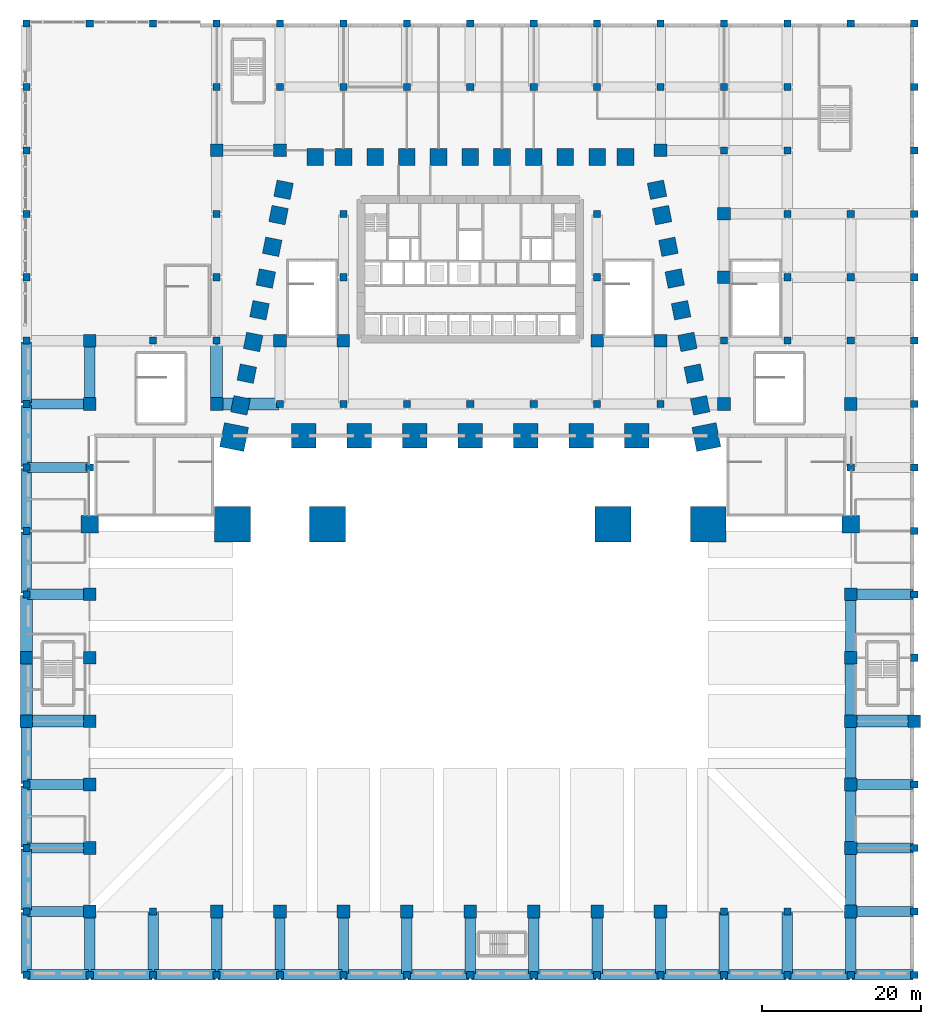
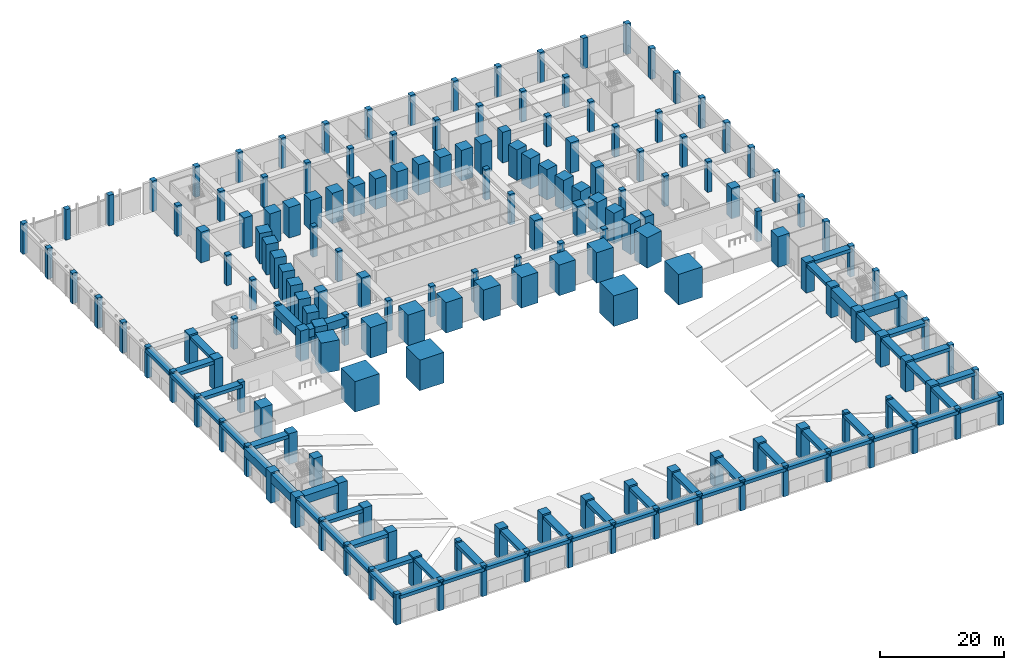
# One storey, part 1 of 28: 173 columns, 57 beams.
"""IFC4 building model written with IfcOpenShell, lengths in metres."""

from ifc_helpers import new_model, si_unit, direction, frame, origin, origin_2d, place, context, subcontext, project, spatial, rectangle, extrude, material, material_profile, profile_set, type_object, element, save


model = new_model("IFC4")

# Units and contexts
model_context = context("Model", 3, precision=1e-05, world=origin(), true_north=direction((0.0, 1.0)))
body_context = subcontext(model_context, "Body", "Model", "MODEL_VIEW")
ifc_project = project(units=[si_unit("LENGTHUNIT", "METRE"), si_unit("AREAUNIT", "SQUARE_METRE"), si_unit("VOLUMEUNIT", "CUBIC_METRE"), si_unit("PLANEANGLEUNIT", "RADIAN"), si_unit("MASSUNIT", "GRAM", prefix="KILO")], contexts=[model_context])

# Site, building, storey
site_placement = place(None, origin())
site = spatial("IfcSite", under=ifc_project, at=site_placement, CompositionType="ELEMENT")
building_placement = place(site_placement, origin())
building = spatial("IfcBuilding", under=site, at=building_placement, Name="Isbrekke Arena Tower", CompositionType="ELEMENT")
storey_placement = place(building_placement, origin())
storey = spatial("IfcBuildingStorey", under=building, at=storey_placement, Name="L00", CompositionType="ELEMENT", Elevation=0.0)

# Columns
ifc_material_1 = material(Name="Concrete B90 (C90/105)", Category="concrete")
ifc_material_profile_1 = material_profile(ifc_material_1, rectangle(XDim=2.10009765625, YDim=2.10009765625, at=origin_2d()), Name="RC 2100x2100")
ifc_profile_set_1 = profile_set([ifc_material_profile_1], Name="Concrete B90 (C90/105)")
column_type_1 = type_object("IfcColumnType", Name="C1 RC 2100 x 2100", PredefinedType="COLUMN", material=ifc_profile_set_1)
for number, where, z_axis, x_axis, name in (
    (1, (28.990966796875, -2.161865234375, 0.0), (0.0, 0.0, 1.0), (-0.196116135138, 0.980580675691, 0.0), "C1 E04"),
    (2, (28.19091796875, 1.838134765625, 0.0), (0.0, 0.0, 1.0), (-0.196116135138, 0.980580675691, 0.0), "C1 E05"),
    (3, (27.39111328125, 5.838134765625, 0.0), (0.0, 0.0, 1.0), (-0.196116135138, 0.980580675691, 0.0), "C1 E06"),
    (4, (26.591064453125, 9.838134765625, 0.0), (0.0, 0.0, 1.0), (-0.196116135138, 0.980580675691, 0.0), "C1 E07"),
    (5, (25.791015625, 13.838134765625, 0.0), (0.0, 0.0, 1.0), (-0.196116135138, 0.980580675691, 0.0), "C1 E08"),
    (6, (24.990966796875, 17.838134765625, 0.0), (0.0, 0.0, 1.0), (-0.196116135138, 0.980580675691, 0.0), "C1 E09"),
    (7, (24.19091796875, 21.838134765625, 0.0), (0.0, 0.0, 1.0), (-0.196116135138, 0.980580675691, 0.0), "C1 E10"),
    (8, (23.552734375, 25.029296875, 0.0), (0.0, 0.0, 1.0), (-0.196116135138, 0.980580675691, 0.0), "C1 E11"),
    (9, (19.574951171875, 29.175048828125, 0.0), (0.0, 0.0, 1.0), (-1.0, 0.0, 0.0), "C1 N01"),
    (10, (16.0, 29.175048828125, 0.0), (0.0, 0.0, 1.0), (-1.0, 0.0, 0.0), "C1 N02"),
    (11, (12.0, 29.175048828125, 0.0), (0.0, 0.0, 1.0), (-1.0, 0.0, 0.0), "C1 N03"),
    (12, (8.0, 29.175048828125, 0.0), (0.0, 0.0, 1.0), (-1.0, 0.0, 0.0), "C1 N04"),
    (13, (4.0, 29.175048828125, 0.0), (0.0, 0.0, 1.0), (-1.0, 0.0, 0.0), "C1 N05"),
    (14, (0.0, 29.175048828125, 0.0), (0.0, 0.0, 1.0), (-1.0, 0.0, 0.0), "C1 N06"),
    (15, (-4.0, 29.175048828125, 0.0), (0.0, 0.0, 1.0), (-1.0, 0.0, 0.0), "C1 N07"),
    (16, (-8.0, 29.175048828125, 0.0), (0.0, 0.0, 1.0), (-1.0, 0.0, 0.0), "C1 N08"),
    (17, (-12.0, 29.175048828125, 0.0), (0.0, 0.0, 1.0), (-1.0, 0.0, 0.0), "C1 N09"),
    (18, (-16.0, 29.175048828125, 0.0), (0.0, 0.0, 1.0), (-1.0, 0.0, 0.0), "C1 N10"),
    (19, (-19.574951171875, 29.175048828125, 0.0), (0.0, 0.0, 1.0), (-1.0, 0.0, 0.0), "C1 N11"),
    (20, (-23.552734375, 25.029296875, 0.0), (0.0, 0.0, 1.0), (-0.196116135138, -0.980580675691, 0.0), "C1 W01"),
    (21, (-24.19091796875, 21.838134765625, 0.0), (0.0, 0.0, 1.0), (-0.196116135138, -0.980580675691, 0.0), "C1 W02"),
    (22, (-24.990966796875, 17.838134765625, 0.0), (0.0, 0.0, 1.0), (-0.196116135138, -0.980580675691, 0.0), "C1 W03"),
    (23, (-25.791015625, 13.838134765625, 0.0), (0.0, 0.0, 1.0), (-0.196116135138, -0.980580675691, 0.0), "C1 W04"),
    (24, (-26.591064453125, 9.838134765625, 0.0), (0.0, 0.0, 1.0), (-0.196116135138, -0.980580675691, 0.0), "C1 W05"),
    (25, (-27.39111328125, 5.838134765625, 0.0), (0.0, 0.0, 1.0), (-0.196116135138, -0.980580675691, 0.0), "C1 W06"),
    (26, (-28.19091796875, 1.838134765625, 0.0), (0.0, 0.0, 1.0), (-0.196116135138, -0.980580675691, 0.0), "C1 W07"),
    (27, (-28.990966796875, -2.161865234375, 0.0), (0.0, 0.0, 1.0), (-0.196116135138, -0.980580675691, 0.0), "C1 W08"),
):
    element("IfcColumn", number, at=place(storey_placement, frame(where, z_axis=z_axis, x_axis=x_axis)), inside=storey, type_object=column_type_1, Name=name, PredefinedType="COLUMN", context=body_context, shape_type="SweptSolid", body=[
        extrude(rectangle(XDim=2.10009765625, YDim=2.10009765625, at=origin_2d()), origin(), (0.0, 0.0, 1.0), 6.0),
    ])
ifc_material_2 = material(Name="Concrete B55 (C55/67)", Category="concrete")
ifc_material_profile_2 = material_profile(ifc_material_2, rectangle(XDim=1.60009765625, YDim=1.60009765625, at=origin_2d()), Name="RC 1600x1600")
ifc_profile_set_2 = profile_set([ifc_material_profile_2], Name="Concrete B55 (C55/67)")
column_type_2 = type_object("IfcColumnType", Name="C15 RC 1600 x 1600", PredefinedType="COLUMN", material=ifc_profile_set_2)
for number, where, z_axis, x_axis, name in (
    (28, (-48.0, -66.0, 0.0), (0.0, 0.0, 1.0), (1.0, 0.0, 0.0), "C15 PB2"),
    (29, (-48.0, -58.0, 0.0), (0.0, 0.0, 1.0), (1.0, 0.0, 0.0), "C15 PC2"),
    (30, (-48.0, -50.0, 0.0), (0.0, 0.0, 1.0), (1.0, 0.0, 0.0), "C15 PD2"),
    (31, (-48.0, -42.0, 0.0), (0.0, 0.0, 1.0), (1.0, 0.0, 0.0), "C15 PE2"),
    (32, (-48.0, -34.0, 0.0), (0.0, 0.0, 1.0), (1.0, 0.0, 0.0), "C15 PF2"),
    (33, (-48.0, -26.0, 0.0), (0.0, 0.0, 1.0), (1.0, 0.0, 0.0), "C15 PG2"),
    (34, (48.0, -66.0, 0.0), (0.0, 0.0, 1.0), (1.0, 0.0, 0.0), "C15 PB14"),
    (35, (48.0, -58.0, 0.0), (0.0, 0.0, 1.0), (1.0, 0.0, 0.0), "C15 PC14"),
    (36, (48.0, -50.0, 0.0), (0.0, 0.0, 1.0), (1.0, 0.0, 0.0), "C15 PD14"),
    (37, (48.0, -42.0, 0.0), (0.0, 0.0, 1.0), (1.0, 0.0, 0.0), "C15 PE14"),
    (38, (48.0, -34.0, 0.0), (0.0, 0.0, 1.0), (1.0, 0.0, 0.0), "C15 PF14"),
    (39, (48.0, -26.0, 0.0), (0.0, 0.0, 1.0), (1.0, 0.0, 0.0), "C15 PG14"),
):
    element("IfcColumn", number, at=place(storey_placement, frame(where, z_axis=z_axis, x_axis=x_axis)), inside=storey, type_object=column_type_2, Name=name, PredefinedType="COLUMN", context=body_context, shape_type="SweptSolid", body=[
        extrude(rectangle(XDim=1.60009765625, YDim=1.60009765625, at=origin_2d()), origin(), (0.0, 0.0, 1.0), 6.0),
    ])
ifc_material_3 = material(Name="Concrete B55 (C55/67)", Category="concrete")
ifc_material_profile_3 = material_profile(ifc_material_3, rectangle(XDim=0.89990234375, YDim=0.89990234375, at=origin_2d()), Name="RC 900x900")
ifc_profile_set_3 = profile_set([ifc_material_profile_3], Name="Concrete B55 (C55/67)")
column_type_3 = type_object("IfcColumnType", Name="C16 RC 900 x 900", PredefinedType="COLUMN", material=ifc_profile_set_3)
for number, where, z_axis, x_axis, name in (
    (40, (-56.0, -74.0, 0.0), (0.0, 0.0, 1.0), (1.0, 0.0, 0.0), "C16 PA1"),
    (41, (-56.0, -66.0, 0.0), (0.0, 0.0, 1.0), (1.0, 0.0, 0.0), "C16 PB1"),
    (42, (-56.0, -58.0, 0.0), (0.0, 0.0, 1.0), (1.0, 0.0, 0.0), "C16 PC1"),
    (43, (-56.0, -50.0, 0.0), (0.0, 0.0, 1.0), (1.0, 0.0, 0.0), "C16 PD1"),
    (44, (-56.0, -26.0, 0.0), (0.0, 0.0, 1.0), (1.0, 0.0, 0.0), "C16 PG1"),
    (45, (-56.0, -18.0, 0.0), (0.0, 0.0, 1.0), (1.0, 0.0, 0.0), "C16 PH1"),
    (46, (-56.0, -10.0, 0.0), (0.0, 0.0, 1.0), (1.0, 0.0, 0.0), "C16 PI1"),
    (47, (-56.0, -2.0, 0.0), (0.0, 0.0, 1.0), (1.0, 0.0, 0.0), "C16 PJ1"),
    (48, (-56.0, 6.0, 0.0), (0.0, 0.0, 1.0), (1.0, 0.0, 0.0), "C16 PK1"),
    (49, (-56.0, 14.0, 0.0), (0.0, 0.0, 1.0), (1.0, 0.0, 0.0), "C16 PL1"),
    (50, (-56.0, 22.0, 0.0), (0.0, 0.0, 1.0), (1.0, 0.0, 0.0), "C16 PM1"),
    (51, (-56.0, 30.0, 0.0), (0.0, 0.0, 1.0), (1.0, 0.0, 0.0), "C16 PN1"),
    (52, (-56.0, 38.0, 0.0), (0.0, 0.0, 1.0), (1.0, 0.0, 0.0), "C16 PO1"),
    (53, (-56.0, 46.0, 0.0), (0.0, 0.0, 1.0), (1.0, 0.0, 0.0), "C16 PP1"),
    (54, (-48.0, -74.0, 0.0), (0.0, 0.0, 1.0), (1.0, 0.0, 0.0), "C16 PA2"),
    (55, (-48.0, -10.0, 0.0), (0.0, 0.0, 1.0), (1.0, 0.0, 0.0), "C16 PI2"),
    (56, (-48.0, 46.0, 0.0), (0.0, 0.0, 1.0), (1.0, 0.0, 0.0), "C16 PP2"),
    (57, (-40.0, -74.0, 0.0), (0.0, 0.0, 1.0), (1.0, 0.0, 0.0), "C16 PA3"),
    (58, (-40.0, -66.0, 0.0), (0.0, 0.0, 1.0), (1.0, 0.0, 0.0), "C16 PB3"),
    (59, (-40.0, 6.0, 0.0), (0.0, 0.0, 1.0), (1.0, 0.0, 0.0), "C16 PK3"),
    (60, (-40.0, 46.0, 0.0), (0.0, 0.0, 1.0), (1.0, 0.0, 0.0), "C16 PP3"),
    (61, (-32.0, -74.0, 0.0), (0.0, 0.0, 1.0), (1.0, 0.0, 0.0), "C16 PA4"),
    (62, (-32.0, 6.0, 0.0), (0.0, 0.0, 1.0), (1.0, 0.0, 0.0), "C16 PK4"),
    (63, (-32.0, 14.0, 0.0), (0.0, 0.0, 1.0), (1.0, 0.0, 0.0), "C16 PL4"),
    (64, (-32.0, 22.0, 0.0), (0.0, 0.0, 1.0), (1.0, 0.0, 0.0), "C16 PM4"),
    (65, (-32.0, 38.0, 0.0), (0.0, 0.0, 1.0), (1.0, 0.0, 0.0), "C16 PO4"),
    (66, (-32.0, 46.0, 0.0), (0.0, 0.0, 1.0), (1.0, 0.0, 0.0), "C16 PP4"),
    (67, (-24.0, -74.0, 0.0), (0.0, 0.0, 1.0), (1.0, 0.0, 0.0), "C16 PA5"),
    (68, (-24.0, -2.0, 0.0), (0.0, 0.0, 1.0), (1.0, 0.0, 0.0), "C16 PJ5"),
    (69, (-24.0, 38.0, 0.0), (0.0, 0.0, 1.0), (1.0, 0.0, 0.0), "C16 PO5"),
    (70, (-24.0, 46.0, 0.0), (0.0, 0.0, 1.0), (1.0, 0.0, 0.0), "C16 PP5"),
    (71, (-16.0, -74.0, 0.0), (0.0, 0.0, 1.0), (1.0, 0.0, 0.0), "C16 PA6"),
    (72, (-16.0, -2.0, 0.0), (0.0, 0.0, 1.0), (1.0, 0.0, 0.0), "C16 PJ6"),
    (73, (-16.0, 14.0, 0.0), (0.0, 0.0, 1.0), (1.0, 0.0, 0.0), "C16 PL6"),
    (74, (-16.0, 22.0, 0.0), (0.0, 0.0, 1.0), (1.0, 0.0, 0.0), "C16 PM6"),
    (75, (-16.0, 38.0, 0.0), (0.0, 0.0, 1.0), (1.0, 0.0, 0.0), "C16 PO6"),
    (76, (-16.0, 46.0, 0.0), (0.0, 0.0, 1.0), (1.0, 0.0, 0.0), "C16 PP6"),
    (77, (-8.0, -74.0, 0.0), (0.0, 0.0, 1.0), (1.0, 0.0, 0.0), "C16 PA7"),
    (78, (-8.0, -2.0, 0.0), (0.0, 0.0, 1.0), (1.0, 0.0, 0.0), "C16 PJ7"),
    (79, (-8.0, 38.0, 0.0), (0.0, 0.0, 1.0), (1.0, 0.0, 0.0), "C16 PO7"),
    (80, (-8.0, 46.0, 0.0), (0.0, 0.0, 1.0), (1.0, 0.0, 0.0), "C16 PP7"),
    (81, (0.0, -74.0, 0.0), (0.0, 0.0, 1.0), (1.0, 0.0, 0.0), "C16 PA8"),
    (82, (0.0, -2.0, 0.0), (0.0, 0.0, 1.0), (1.0, 0.0, 0.0), "C16 PJ8"),
    (83, (0.0, 38.0, 0.0), (0.0, 0.0, 1.0), (1.0, 0.0, 0.0), "C16 PO8"),
    (84, (0.0, 46.0, 0.0), (0.0, 0.0, 1.0), (1.0, 0.0, 0.0), "C16 PP8"),
    (85, (8.0, -74.0, 0.0), (0.0, 0.0, 1.0), (1.0, 0.0, 0.0), "C16 PA9"),
    (86, (8.0, -2.0, 0.0), (0.0, 0.0, 1.0), (1.0, 0.0, 0.0), "C16 PJ9"),
    (87, (8.0, 38.0, 0.0), (0.0, 0.0, 1.0), (1.0, 0.0, 0.0), "C16 PO9"),
    (88, (8.0, 46.0, 0.0), (0.0, 0.0, 1.0), (1.0, 0.0, 0.0), "C16 PP9"),
    (89, (16.0, -74.0, 0.0), (0.0, 0.0, 1.0), (1.0, 0.0, 0.0), "C16 PA10"),
    (90, (16.0, -2.0, 0.0), (0.0, 0.0, 1.0), (1.0, 0.0, 0.0), "C16 PJ10"),
    (91, (16.0, 14.0, 0.0), (0.0, 0.0, 1.0), (1.0, 0.0, 0.0), "C16 PL10"),
    (92, (16.0, 22.0, 0.0), (0.0, 0.0, 1.0), (1.0, 0.0, 0.0), "C16 PM10"),
    (93, (16.0, 38.0, 0.0), (0.0, 0.0, 1.0), (1.0, 0.0, 0.0), "C16 PO10"),
    (94, (16.0, 46.0, 0.0), (0.0, 0.0, 1.0), (1.0, 0.0, 0.0), "C16 PP10"),
    (95, (24.0, -74.0, 0.0), (0.0, 0.0, 1.0), (1.0, 0.0, 0.0), "C16 PA11"),
    (96, (24.0, -2.0, 0.0), (0.0, 0.0, 1.0), (1.0, 0.0, 0.0), "C16 PJ11"),
    (97, (24.0, 38.0, 0.0), (0.0, 0.0, 1.0), (1.0, 0.0, 0.0), "C16 PO11"),
    (98, (24.0, 46.0, 0.0), (0.0, 0.0, 1.0), (1.0, 0.0, 0.0), "C16 PP11"),
    (99, (32.0, -74.0, 0.0), (0.0, 0.0, 1.0), (1.0, 0.0, 0.0), "C16 PA12"),
    (100, (32.0, -66.0, 0.0), (0.0, 0.0, 1.0), (1.0, 0.0, 0.0), "C16 PB12"),
    (101, (32.0, 6.0, 0.0), (0.0, 0.0, 1.0), (1.0, 0.0, 0.0), "C16 PK12"),
    (102, (32.0, 30.0, 0.0), (0.0, 0.0, 1.0), (1.0, 0.0, 0.0), "C16 PN12"),
    (103, (32.0, 38.0, 0.0), (0.0, 0.0, 1.0), (1.0, 0.0, 0.0), "C16 PO12"),
    (104, (32.0, 46.0, 0.0), (0.0, 0.0, 1.0), (1.0, 0.0, 0.0), "C16 PP12"),
    (105, (40.0, -74.0, 0.0), (0.0, 0.0, 1.0), (1.0, 0.0, 0.0), "C16 PA13"),
    (106, (40.0, -66.0, 0.0), (0.0, 0.0, 1.0), (1.0, 0.0, 0.0), "C16 PB13"),
    (107, (40.0, 6.0, 0.0), (0.0, 0.0, 1.0), (1.0, 0.0, 0.0), "C16 PK13"),
    (108, (40.0, 14.0, 0.0), (0.0, 0.0, 1.0), (1.0, 0.0, 0.0), "C16 PL13"),
    (109, (40.0, 22.0, 0.0), (0.0, 0.0, 1.0), (1.0, 0.0, 0.0), "C16 PM13"),
    (110, (40.0, 30.0, 0.0), (0.0, 0.0, 1.0), (1.0, 0.0, 0.0), "C16 PN13"),
    (111, (40.0, 38.0, 0.0), (0.0, 0.0, 1.0), (1.0, 0.0, 0.0), "C16 PO13"),
    (112, (40.0, 46.0, 0.0), (0.0, 0.0, 1.0), (1.0, 0.0, 0.0), "C16 PP13"),
    (113, (48.0, -74.0, 0.0), (0.0, 0.0, 1.0), (1.0, 0.0, 0.0), "C16 PA14"),
    (114, (48.0, -10.0, 0.0), (0.0, 0.0, 1.0), (1.0, 0.0, 0.0), "C16 PI14"),
    (115, (48.0, 6.0, 0.0), (0.0, 0.0, 1.0), (1.0, 0.0, 0.0), "C16 PK14"),
    (116, (48.0, 14.0, 0.0), (0.0, 0.0, 1.0), (1.0, 0.0, 0.0), "C16 PL14"),
    (117, (48.0, 22.0, 0.0), (0.0, 0.0, 1.0), (1.0, 0.0, 0.0), "C16 PM14"),
    (118, (48.0, 46.0, 0.0), (0.0, 0.0, 1.0), (1.0, 0.0, 0.0), "C16 PP14"),
    (119, (56.0, -74.0, 0.0), (0.0, 0.0, 1.0), (1.0, 0.0, 0.0), "C16 PA15"),
    (120, (56.0, -66.0, 0.0), (0.0, 0.0, 1.0), (1.0, 0.0, 0.0), "C16 PB15"),
    (121, (56.0, -58.0, 0.0), (0.0, 0.0, 1.0), (1.0, 0.0, 0.0), "C16 PC15"),
    (122, (56.0, -50.0, 0.0), (0.0, 0.0, 1.0), (1.0, 0.0, 0.0), "C16 PD15"),
    (123, (56.0, -34.0, 0.0), (0.0, 0.0, 1.0), (1.0, 0.0, 0.0), "C16 PF15"),
    (124, (56.0, -26.0, 0.0), (0.0, 0.0, 1.0), (1.0, 0.0, 0.0), "C16 PG15"),
    (125, (56.0, -18.0, 0.0), (0.0, 0.0, 1.0), (1.0, 0.0, 0.0), "C16 PH15"),
    (126, (56.0, -10.0, 0.0), (0.0, 0.0, 1.0), (1.0, 0.0, 0.0), "C16 PI15"),
    (127, (56.0, -2.0, 0.0), (0.0, 0.0, 1.0), (1.0, 0.0, 0.0), "C16 PJ15"),
    (128, (56.0, 6.0, 0.0), (0.0, 0.0, 1.0), (1.0, 0.0, 0.0), "C16 PK15"),
    (129, (56.0, 14.0, 0.0), (0.0, 0.0, 1.0), (1.0, 0.0, 0.0), "C16 PL15"),
    (130, (56.0, 22.0, 0.0), (0.0, 0.0, 1.0), (1.0, 0.0, 0.0), "C16 PM15"),
    (131, (56.0, 30.0, 0.0), (0.0, 0.0, 1.0), (1.0, 0.0, 0.0), "C16 PN15"),
    (132, (56.0, 38.0, 0.0), (0.0, 0.0, 1.0), (1.0, 0.0, 0.0), "C16 PO15"),
    (133, (56.0, 46.0, 0.0), (0.0, 0.0, 1.0), (1.0, 0.0, 0.0), "C16 PP15"),
):
    element("IfcColumn", number, at=place(storey_placement, frame(where, z_axis=z_axis, x_axis=x_axis)), inside=storey, type_object=column_type_3, Name=name, PredefinedType="COLUMN", context=body_context, shape_type="SweptSolid", body=[
        extrude(rectangle(XDim=0.89990234375, YDim=0.89990234375, at=origin_2d()), origin(), (0.0, 0.0, 1.0), 6.0),
    ])
ifc_material_4 = material(Name="Concrete B90 (C90/105)", Category="concrete")
ifc_material_profile_4 = material_profile(ifc_material_4, rectangle(XDim=3.10009765625, YDim=3.10009765625, at=origin_2d()), Name="RC 3100x3100")
ifc_profile_set_4 = profile_set([ifc_material_profile_4], Name="Concrete B90 (C90/105)")
column_type_4 = type_object("IfcColumnType", Name="C17 RC 3100 x 3100", PredefinedType="COLUMN", material=ifc_profile_set_4)
for number, where, z_axis, x_axis, name in (
    (134, (29.791015625, -6.161865234375, 0.0), (0.0, 0.0, 1.0), (-0.196116135138, 0.980580675691, 0.0), "C17 E03"),
    (135, (-29.791015625, -6.161865234375, 0.0), (0.0, 0.0, 1.0), (-0.196116135138, -0.980580675691, 0.0), "C17 W09"),
    (136, (-21.0, -6.0, 0.0), (0.0, 0.0, 1.0), (1.0, 0.0, 0.0), "C17 I01"),
    (137, (-14.0, -6.0, 0.0), (0.0, 0.0, 1.0), (1.0, 0.0, 0.0), "C17 I02"),
    (138, (-7.0, -6.0, 0.0), (0.0, 0.0, 1.0), (1.0, 0.0, 0.0), "C17 I03"),
    (139, (0.0, -6.0, 0.0), (0.0, 0.0, 1.0), (1.0, 0.0, 0.0), "C17 I04"),
    (140, (7.0, -6.0, 0.0), (0.0, 0.0, 1.0), (1.0, 0.0, 0.0), "C17 I05"),
    (141, (14.0, -6.0, 0.0), (0.0, 0.0, 1.0), (1.0, 0.0, 0.0), "C17 I06"),
    (142, (21.0, -6.0, 0.0), (0.0, 0.0, 1.0), (1.0, 0.0, 0.0), "C17 I07"),
):
    element("IfcColumn", number, at=place(storey_placement, frame(where, z_axis=z_axis, x_axis=x_axis)), inside=storey, type_object=column_type_4, Name=name, PredefinedType="COLUMN", context=body_context, shape_type="SweptSolid", body=[
        extrude(rectangle(XDim=3.10009765625, YDim=3.10009765625, at=origin_2d()), origin(), (0.0, 0.0, 1.0), 6.0),
    ])
ifc_material_5 = material(Name="Concrete B55 (C55/67)", Category="concrete")
ifc_material_profile_5 = material_profile(ifc_material_5, rectangle(XDim=1.60009765625, YDim=1.60009765625, at=origin_2d()), Name="RC 1600x1600")
ifc_profile_set_5 = profile_set([ifc_material_profile_5], Name="Concrete B55 (C55/67)")
column_type_5 = type_object("IfcColumnType", Name="C18 RC 1600 x 1600", PredefinedType="COLUMN", material=ifc_profile_set_5)
for number, where, z_axis, x_axis, name in (
    (143, (-56.0, -42.0, 0.0), (0.0, 0.0, 1.0), (1.0, 0.0, 0.0), "C18 PE1"),
    (144, (-56.0, -34.0, 0.0), (0.0, 0.0, 1.0), (1.0, 0.0, 0.0), "C18 PF1"),
    (145, (-48.0, -2.0, 0.0), (0.0, 0.0, 1.0), (1.0, 0.0, 0.0), "C18 PJ2"),
    (146, (-48.0, 6.0, 0.0), (0.0, 0.0, 1.0), (1.0, 0.0, 0.0), "C18 PK2"),
    (147, (-32.0, -66.0, 0.0), (0.0, 0.0, 1.0), (1.0, 0.0, 0.0), "C18 PB4"),
    (148, (-32.0, -2.0, 0.0), (0.0, 0.0, 1.0), (1.0, 0.0, 0.0), "C18 PJ4"),
    (149, (-32.0, 30.0, 0.0), (0.0, 0.0, 1.0), (1.0, 0.0, 0.0), "C18 PN4"),
    (150, (-24.0, -66.0, 0.0), (0.0, 0.0, 1.0), (1.0, 0.0, 0.0), "C18 PB5"),
    (151, (-24.0, 6.0, 0.0), (0.0, 0.0, 1.0), (1.0, 0.0, 0.0), "C18 PK5"),
    (152, (-24.0, 30.0, 0.0), (0.0, 0.0, 1.0), (1.0, 0.0, 0.0), "C18 PN5"),
    (153, (-16.0, -66.0, 0.0), (0.0, 0.0, 1.0), (1.0, 0.0, 0.0), "C18 PB6"),
    (154, (-16.030029296875, 6.0, 0.0), (0.0, 0.0, 1.0), (1.0, 0.0, 0.0), "C18 PK6"),
    (155, (-8.0, -66.0, 0.0), (0.0, 0.0, 1.0), (1.0, 0.0, 0.0), "C18 PB7"),
    (156, (0.0, -66.0, 0.0), (0.0, 0.0, 1.0), (1.0, 0.0, 0.0), "C18 PB8"),
    (157, (8.0, -66.0, 0.0), (0.0, 0.0, 1.0), (1.0, 0.0, 0.0), "C18 PB9"),
    (158, (16.0, -66.0, 0.0), (0.0, 0.0, 1.0), (1.0, 0.0, 0.0), "C18 PB10"),
    (159, (16.030029296875, 6.0, 0.0), (0.0, 0.0, 1.0), (1.0, 0.0, 0.0), "C18 PK10"),
    (160, (24.0, -66.0, 0.0), (0.0, 0.0, 1.0), (1.0, 0.0, 0.0), "C18 PB11"),
    (161, (24.0, 6.0, 0.0), (0.0, 0.0, 1.0), (1.0, 0.0, 0.0), "C18 PK11"),
    (162, (24.0, 30.0, 0.0), (0.0, 0.0, 1.0), (1.0, 0.0, 0.0), "C18 PN11"),
    (163, (32.0, -2.0, 0.0), (0.0, 0.0, 1.0), (1.0, 0.0, 0.0), "C18 PJ12"),
    (164, (32.0, 14.0, 0.0), (0.0, 0.0, 1.0), (1.0, 0.0, 0.0), "C18 PL12"),
    (165, (32.0, 22.0, 0.0), (0.0, 0.0, 1.0), (1.0, 0.0, 0.0), "C18 PM12"),
    (166, (48.0, -2.0, 0.0), (0.0, 0.0, 1.0), (1.0, 0.0, 0.0), "C18 PJ14"),
    (167, (56.0, -42.0, 0.0), (0.0, 0.0, 1.0), (1.0, 0.0, 0.0), "C18 PE15"),
):
    element("IfcColumn", number, at=place(storey_placement, frame(where, z_axis=z_axis, x_axis=x_axis)), inside=storey, type_object=column_type_5, Name=name, PredefinedType="COLUMN", context=body_context, shape_type="SweptSolid", body=[
        extrude(rectangle(XDim=1.60009765625, YDim=1.60009765625, at=origin_2d()), origin(), (0.0, 0.0, 1.0), 6.0),
    ])
ifc_material_6 = material(Name="Concrete B65 (C65/80)", Category="concrete")
ifc_material_profile_6 = material_profile(ifc_material_6, rectangle(XDim=2.199951171875, YDim=2.199951171875, at=origin_2d()), Name="RC 2200x2200")
ifc_profile_set_6 = profile_set([ifc_material_profile_6], Name="Concrete B65 (C65/80)")
column_type_6 = type_object("IfcColumnType", Name="MC1 RC 2200 x 2200", PredefinedType="COLUMN", material=ifc_profile_set_6)
for number, where, z_axis, x_axis, name in (
    (168, (-48.0, -17.175048828125, 0.0), (0.0, 0.0, 1.0), (1.0, 0.0, 0.0), "MC1 mega column MCW"),
    (169, (48.0, -17.175048828125, 0.0), (0.0, 0.0, 1.0), (1.0, 0.0, 0.0), "MC1 mega column MCE"),
):
    element("IfcColumn", number, at=place(storey_placement, frame(where, z_axis=z_axis, x_axis=x_axis)), inside=storey, type_object=column_type_6, Name=name, PredefinedType="COLUMN", context=body_context, shape_type="SweptSolid", body=[
        extrude(rectangle(XDim=2.199951171875, YDim=2.199951171875, at=origin_2d()), origin(), (0.0, 0.0, 1.0), 6.0),
    ])
ifc_material_7 = material(Name="Concrete B90 (C90/105)", Category="concrete")
ifc_material_profile_7 = material_profile(ifc_material_7, rectangle(XDim=4.5, YDim=4.5, at=origin_2d()), Name="RC 4500x4500")
ifc_profile_set_7 = profile_set([ifc_material_profile_7], Name="Concrete B90 (C90/105)")
column_type_7 = type_object("IfcColumnType", Name="MC2 RC 4500 x 4500", PredefinedType="COLUMN", material=ifc_profile_set_7)
for number, where, z_axis, x_axis, name in (
    (170, (-30.0, -17.175048828125, 0.0), (0.0, 0.0, 1.0), (1.0, 0.0, 0.0), "MC2 mega column SFW30"),
    (171, (-18.0, -17.175048828125, 0.0), (0.0, 0.0, 1.0), (1.0, 0.0, 0.0), "MC2 mega column SFW18"),
    (172, (18.0, -17.175048828125, 0.0), (0.0, 0.0, 1.0), (1.0, 0.0, 0.0), "MC2 mega column SFE18"),
    (173, (30.0, -17.175048828125, 0.0), (0.0, 0.0, 1.0), (1.0, 0.0, 0.0), "MC2 mega column SFE30"),
):
    element("IfcColumn", number, at=place(storey_placement, frame(where, z_axis=z_axis, x_axis=x_axis)), inside=storey, type_object=column_type_7, Name=name, PredefinedType="COLUMN", context=body_context, shape_type="SweptSolid", body=[
        extrude(rectangle(XDim=4.5, YDim=4.5, at=origin_2d()), origin(), (0.0, 0.0, 1.0), 6.0),
    ])

# Beams
ifc_material_8 = material(Name="Concrete B45 (C45/55)", Category="concrete")
ifc_material_profile_8 = material_profile(ifc_material_8, rectangle(XDim=1.300048828125, YDim=0.64990234375, at=origin_2d()), Name="RC 1300x650")
ifc_profile_set_8 = profile_set([ifc_material_profile_8], Name="Concrete B45 (C45/55)")
beam_type_1 = type_object("IfcBeamType", Name="PB1 RC 1300 x 650", PredefinedType="BEAM", material=ifc_profile_set_8)
for number, where, z_axis, x_axis, name in (
    (174, (-55.85009765625, -74.0, 5.375), (1.0, 0.0, 0.0), (0.0, 1.0, 0.0), "PB1 podium beam A1 L01"),
    (175, (-56.0, -73.85009765625, 5.375), (0.0, 1.0, 0.0), (-1.0, 0.0, 0.0), "PB1 podium beam A1 L01"),
    (176, (-47.85009765625, -74.0, 5.375), (1.0, 0.0, 0.0), (0.0, 1.0, 0.0), "PB1 podium beam A2 L01"),
    (177, (-48.0, -73.85009765625, 5.375), (0.0, 1.0, 0.0), (-1.0, 0.0, 0.0), "PB1 podium beam A2 L01"),
    (178, (-39.85009765625, -74.0, 5.375), (1.0, 0.0, 0.0), (0.0, 1.0, 0.0), "PB1 podium beam A3 L01"),
    (179, (-40.0, -73.85009765625, 5.375), (0.0, 1.0, 0.0), (-1.0, 0.0, 0.0), "PB1 podium beam A3 L01"),
    (180, (-31.85009765625, -74.0, 5.375), (1.0, 0.0, 0.0), (0.0, 1.0, 0.0), "PB1 podium beam A4 L01"),
    (181, (-32.0, -73.85009765625, 5.375), (0.0, 1.0, 0.0), (-1.0, 0.0, 0.0), "PB1 podium beam A4 L01"),
    (182, (-23.85009765625, -74.0, 5.375), (1.0, 0.0, 0.0), (0.0, 1.0, 0.0), "PB1 podium beam A5 L01"),
    (183, (-24.0, -73.85009765625, 5.375), (0.0, 1.0, 0.0), (-1.0, 0.0, 0.0), "PB1 podium beam A5 L01"),
    (184, (-15.85009765625, -74.0, 5.375), (1.0, 0.0, 0.0), (0.0, 1.0, 0.0), "PB1 podium beam A6 L01"),
    (185, (-16.0, -73.85009765625, 5.375), (0.0, 1.0, 0.0), (-1.0, 0.0, 0.0), "PB1 podium beam A6 L01"),
    (186, (-7.85009765625, -74.0, 5.375), (1.0, 0.0, 0.0), (0.0, 1.0, 0.0), "PB1 podium beam A7 L01"),
    (187, (-8.0, -73.85009765625, 5.375), (0.0, 1.0, 0.0), (-1.0, 0.0, 0.0), "PB1 podium beam A7 L01"),
    (188, (0.14990234375, -74.0, 5.375), (1.0, 0.0, 0.0), (0.0, 1.0, 0.0), "PB1 podium beam A8 L01"),
    (189, (0.0, -73.85009765625, 5.375), (0.0, 1.0, 0.0), (-1.0, 0.0, 0.0), "PB1 podium beam A8 L01"),
    (190, (8.14990234375, -74.0, 5.375), (1.0, 0.0, 0.0), (0.0, 1.0, 0.0), "PB1 podium beam A9 L01"),
    (191, (8.0, -73.85009765625, 5.375), (0.0, 1.0, 0.0), (-1.0, 0.0, 0.0), "PB1 podium beam A9 L01"),
    (192, (16.14990234375, -74.0, 5.375), (1.0, 0.0, 0.0), (0.0, 1.0, 0.0), "PB1 podium beam A10 L01"),
    (193, (16.0, -73.85009765625, 5.375), (0.0, 1.0, 0.0), (-1.0, 0.0, 0.0), "PB1 podium beam A10 L01"),
    (194, (24.14990234375, -74.0, 5.375), (1.0, 0.0, 0.0), (0.0, 1.0, 0.0), "PB1 podium beam A11 L01"),
    (195, (24.0, -73.85009765625, 5.375), (0.0, 1.0, 0.0), (-1.0, 0.0, 0.0), "PB1 podium beam A11 L01"),
    (196, (32.14990234375, -74.0, 5.375), (1.0, 0.0, 0.0), (0.0, 1.0, 0.0), "PB1 podium beam A12 L01"),
    (197, (32.0, -73.85009765625, 5.375), (0.0, 1.0, 0.0), (-1.0, 0.0, 0.0), "PB1 podium beam A12 L01"),
    (198, (40.14990234375, -74.0, 5.375), (1.0, 0.0, 0.0), (0.0, 1.0, 0.0), "PB1 podium beam A13 L01"),
    (199, (40.0, -73.85009765625, 5.375), (0.0, 1.0, 0.0), (-1.0, 0.0, 0.0), "PB1 podium beam A13 L01"),
    (200, (48.14990234375, -74.0, 5.375), (1.0, 0.0, 0.0), (0.0, 1.0, 0.0), "PB1 podium beam A14 L01"),
    (201, (48.0, -73.85009765625, 5.375), (0.0, 1.0, 0.0), (-1.0, 0.0, 0.0), "PB1 podium beam A14 L01"),
    (202, (-55.85009765625, -66.0, 5.375), (1.0, 0.0, 0.0), (0.0, 1.0, 0.0), "PB1 podium beam B1 L01"),
    (203, (-56.0, -65.85009765625, 5.375), (0.0, 1.0, 0.0), (-1.0, 0.0, 0.0), "PB1 podium beam B1 L01"),
    (204, (48.14990234375, -66.0, 5.375), (1.0, 0.0, 0.0), (0.0, 1.0, 0.0), "PB1 podium beam B14 L01"),
    (205, (48.0, -65.85009765625, 5.375), (0.0, 1.0, 0.0), (-1.0, 0.0, 0.0), "PB1 podium beam B14 L01"),
    (206, (-55.85009765625, -58.0, 5.375), (1.0, 0.0, 0.0), (0.0, 1.0, 0.0), "PB1 podium beam C1 L01"),
    (207, (-56.0, -57.85009765625, 5.375), (0.0, 1.0, 0.0), (-1.0, 0.0, 0.0), "PB1 podium beam C1 L01"),
    (208, (48.14990234375, -58.0, 5.375), (1.0, 0.0, 0.0), (0.0, 1.0, 0.0), "PB1 podium beam C14 L01"),
    (209, (48.0, -57.85009765625, 5.375), (0.0, 1.0, 0.0), (-1.0, 0.0, 0.0), "PB1 podium beam C14 L01"),
    (210, (-55.85009765625, -50.0, 5.375), (1.0, 0.0, 0.0), (0.0, 1.0, 0.0), "PB1 podium beam D1 L01"),
    (211, (-56.0, -49.85009765625, 5.375), (0.0, 1.0, 0.0), (-1.0, 0.0, 0.0), "PB1 podium beam D1 L01"),
    (212, (48.14990234375, -50.0, 5.375), (1.0, 0.0, 0.0), (0.0, 1.0, 0.0), "PB1 podium beam D14 L01"),
    (213, (48.0, -49.85009765625, 5.375), (0.0, 1.0, 0.0), (-1.0, 0.0, 0.0), "PB1 podium beam D14 L01"),
    (214, (48.0, -33.85009765625, 5.375), (0.0, 1.0, 0.0), (-1.0, 0.0, 0.0), "PB1 podium beam F14 L01"),
    (215, (-55.85009765625, -26.0, 5.375), (1.0, 0.0, 0.0), (0.0, 1.0, 0.0), "PB1 podium beam G1 L01"),
    (216, (-56.0, -25.85009765625, 5.375), (0.0, 1.0, 0.0), (-1.0, 0.0, 0.0), "PB1 podium beam G1 L01"),
    (217, (48.14990234375, -26.0, 5.375), (1.0, 0.0, 0.0), (0.0, 1.0, 0.0), "PB1 podium beam G14 L01"),
    (218, (-56.0, -17.85009765625, 5.375), (0.0, 1.0, 0.0), (-1.0, 0.0, 0.0), "PB1 podium beam H1 L01"),
    (219, (-55.85009765625, -10.0, 5.375), (1.0, 0.0, 0.0), (0.0, 1.0, 0.0), "PB1 podium beam I1 L01"),
    (220, (-56.0, -9.85009765625, 5.375), (0.0, 1.0, 0.0), (-1.0, 0.0, 0.0), "PB1 podium beam I1 L01"),
    (221, (-55.85009765625, -2.0, 5.375), (1.0, 0.0, 0.0), (0.0, 1.0, 0.0), "PB1 podium beam J1 L01"),
    (222, (-56.0, -1.85009765625, 5.375), (0.0, 1.0, 0.0), (-1.0, 0.0, 0.0), "PB1 podium beam J1 L01"),
    (223, (-48.0, -1.85009765625, 5.375), (0.0, 1.0, 0.0), (-1.0, 0.0, 0.0), "PB1 podium beam J2 L01"),
):
    element("IfcBeam", number, at=place(storey_placement, frame(where, z_axis=z_axis, x_axis=x_axis)), inside=storey, type_object=beam_type_1, Name=name, PredefinedType="BEAM", context=body_context, shape_type="SweptSolid", body=[
        extrude(rectangle(XDim=1.300048828125, YDim=0.64990234375, at=origin_2d()), origin(), (0.0, 0.0, 1.0), 7.7001953125),
    ])
ifc_material_9 = material(Name="Concrete B45 (C45/55)", Category="concrete")
ifc_material_profile_9 = material_profile(ifc_material_9, rectangle(XDim=1.5, YDim=1.60009765625, at=origin_2d()), Name="RC 1500x1600")
ifc_profile_set_9 = profile_set([ifc_material_profile_9], Name="Concrete B45 (C45/55)")
beam_type_2 = type_object("IfcBeamType", Name="PB2 RC 1500 x 1600", PredefinedType="BEAM", material=ifc_profile_set_9)
for number, where, z_axis, x_axis, name in (
    (224, (-55.85009765625, -42.0, 4.89990234375), (1.0, 0.0, 0.0), (0.0, 1.0, 0.0), "PB2 podium beam E1 L01"),
    (225, (-56.0, -41.85009765625, 4.89990234375), (0.0, 1.0, 0.0), (-1.0, 0.0, 0.0), "PB2 podium beam E1 L01"),
    (226, (48.14990234375, -42.0, 4.89990234375), (1.0, 0.0, 0.0), (0.0, 1.0, 0.0), "PB2 podium beam E14 L01"),
    (227, (48.0, -41.85009765625, 4.89990234375), (0.0, 1.0, 0.0), (-1.0, 0.0, 0.0), "PB2 podium beam E14 L01"),
    (228, (-56.0, -33.85009765625, 4.89990234375), (0.0, 1.0, 0.0), (-1.0, 0.0, 0.0), "PB2 podium beam F1 L01"),
    (229, (-31.85009765625, -2.0, 4.89990234375), (1.0, 0.0, 0.0), (0.0, 1.0, 0.0), "PB2 podium beam J4 L01"),
    (230, (-32.0, -1.85009765625, 4.89990234375), (0.0, 1.0, 0.0), (-1.0, 0.0, 0.0), "PB2 podium beam J4 L01"),
):
    element("IfcBeam", number, at=place(storey_placement, frame(where, z_axis=z_axis, x_axis=x_axis)), inside=storey, type_object=beam_type_2, Name=name, PredefinedType="BEAM", context=body_context, shape_type="SweptSolid", body=[
        extrude(rectangle(XDim=1.5, YDim=1.60009765625, at=origin_2d()), origin(), (0.0, 0.0, 1.0), 7.7001953125),
    ])

save(model, "model.ifc")
